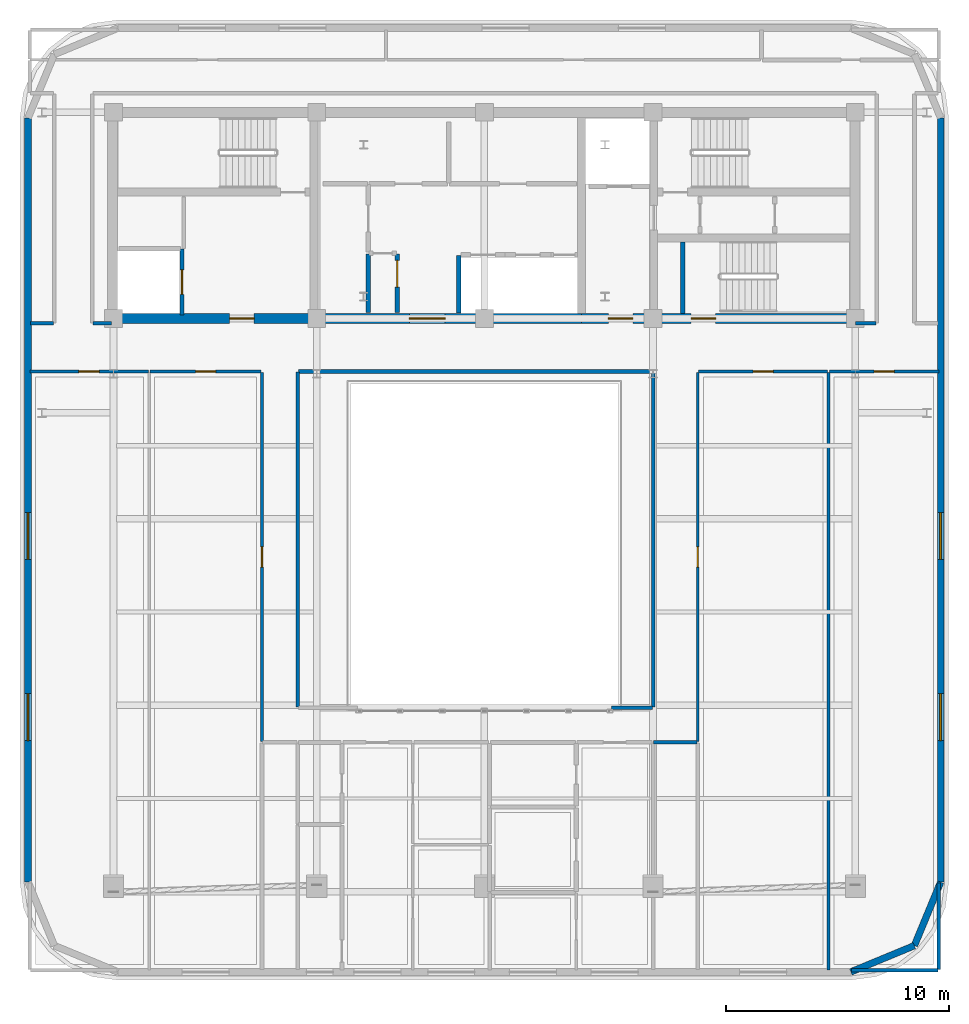
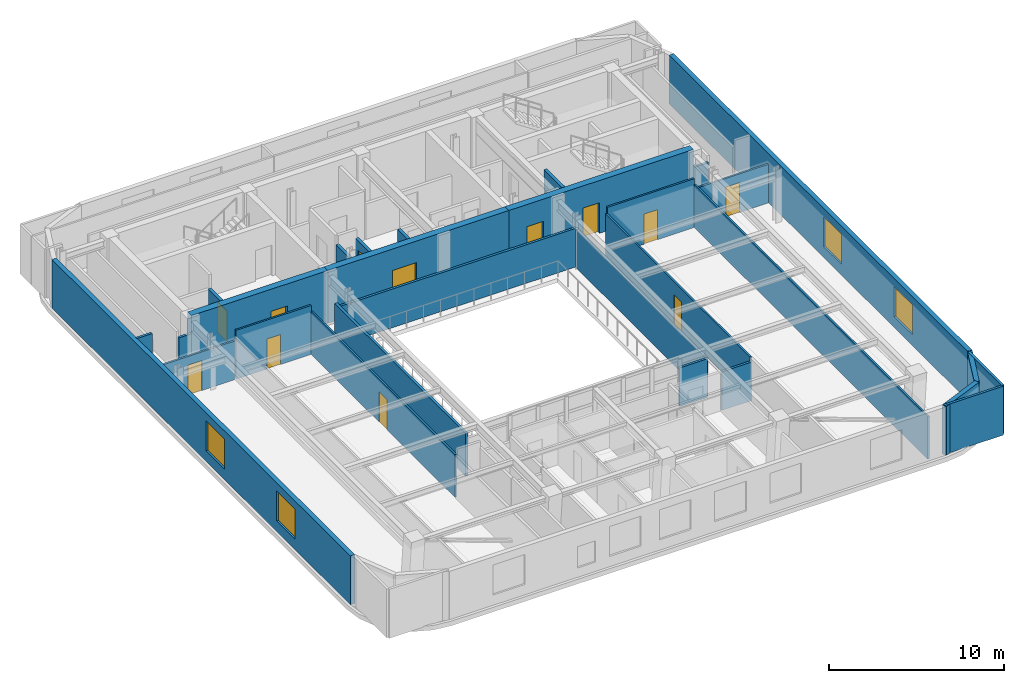
# One storey, part 6 of 11: 29 walls, 12 doors, 4 windows, 16 openings.
"""IFC4 building model written with IfcOpenShell, lengths in metres."""

from ifc_helpers import new_model, si_unit, direction, frame, frame_2d, origin, place, context, subcontext, project, spatial, rectangle, extrude, material, layer, layer_set, type_object, element, fill, save


model = new_model("IFC4")

# Units and contexts
model_context = context("Model", 3, precision=1e-05, world=origin(), true_north=direction((0.0, 1.0)))
body_context = subcontext(model_context, "Body", "Model", "MODEL_VIEW")
ifc_project = project(units=[si_unit("LENGTHUNIT", "METRE"), si_unit("AREAUNIT", "SQUARE_METRE"), si_unit("VOLUMEUNIT", "CUBIC_METRE"), si_unit("PLANEANGLEUNIT", "RADIAN"), si_unit("MASSUNIT", "GRAM", prefix="KILO")], contexts=[model_context])

# Site, building, storey
site_placement = place(None, origin())
site = spatial("IfcSite", under=ifc_project, at=site_placement, CompositionType="ELEMENT")
building_placement = place(site_placement, origin())
building = spatial("IfcBuilding", under=site, at=building_placement, Name="Zarnavel Station Tower", CompositionType="ELEMENT")
storey_placement = place(building_placement, frame((0.0, 0.0, 262.10009765625)))
storey = spatial("IfcBuildingStorey", under=building, at=storey_placement, Name="L71", CompositionType="ELEMENT", Elevation=262.10009765625)

# Wall, opening, door
ifc_material_1 = material(Name="Concrete C50/60", Category="concrete")
ifc_layer_1 = layer(ifc_material_1, 0.449951171875)
ifc_layer_set_1 = layer_set([ifc_layer_1], Name="CW_450")
wall_type_1 = type_object("IfcWallType", Name="CW_450", PredefinedType="SHEAR", material=ifc_layer_set_1)
wall_1_placement = place(storey_placement, frame((21.179931640625, 27.820068359375, 0.0), z_axis=(0.0, 0.0, 1.0), x_axis=(-1.0, 0.0, 0.0)))
wall_1 = element("IfcWall", 1, at=wall_1_placement, inside=storey, type_object=wall_type_1, Name="L71 Rear Core Shear Wall S-W", PredefinedType="SHEAR", context=body_context, shape_type="SweptSolid", body=[
    extrude(rectangle(XDim=9.030029296875, YDim=0.449951171875, at=frame_2d((4.51513671875, 0.0))), origin(), (0.0, 0.0, 1.0), 3.699951171875),
])
opening_1_placement = place(wall_1_placement, frame((2.679931640625, 0.0, 0.0)))
opening_1 = element("IfcOpeningElement", 2, at=opening_1_placement, cuts=wall_1, Name="Opening FD01", PredefinedType="OPENING", context=body_context, shape_type="SweptSolid", body=[
    extrude(rectangle(XDim=1.10009765625, YDim=2.14990234375, at=frame_2d((0.550048828125, 1.074951171875))), frame((0.0, 0.23486328125, 0.0), z_axis=(0.0, -1.0, 0.0), x_axis=(1.0, 0.0, 0.0)), (0.0, 0.0, 1.0), 0.469970703125),
])
ifc_material_2 = material(Name="Painted Galvanised Steel and Hardwood Leaf", Category="steel")
door_type_1 = type_object("IfcDoorType", Name="ID_STAIR_1100", OperationType="NOTDEFINED", PredefinedType="DOOR", material=ifc_material_2)
door_1_placement = place(opening_1_placement, origin())
door_1 = element("IfcDoor", 3, at=door_1_placement, inside=storey, type_object=door_type_1, Name="L71 West Firefighting Lobby Door", OperationType="SINGLE_SWING_RIGHT", OverallHeight=2.14990234375, OverallWidth=1.10009765625, PredefinedType="DOOR", context=body_context, shape_type="SweptSolid", body=[
    extrude(rectangle(XDim=1.10009765625, YDim=2.14990234375, at=frame_2d((0.550048828125, 1.074951171875))), frame((0.0, 0.02490234375, 0.0), z_axis=(0.0, -1.0, 0.0), x_axis=(1.0, 0.0, 0.0)), (0.0, 0.0, 1.0), 0.050048828125),
])
fill(opening_1, door_1)

wall_2_placement = place(storey_placement, frame((33.14990234375, 27.820068359375, 0.0), z_axis=(0.0, 0.0, 1.0), x_axis=(-1.0, 0.0, 0.0)))
wall_2 = element("IfcWall", 4, at=wall_2_placement, inside=storey, type_object=wall_type_1, Name="L71 Rear Core Shear Wall S-M", PredefinedType="SHEAR", context=body_context, shape_type="SweptSolid", body=[
    extrude(rectangle(XDim=11.969970703125, YDim=0.449951171875, at=frame_2d((5.98486328125, 0.0))), origin(), (0.0, 0.0, 1.0), 3.699951171875),
])
opening_2_placement = place(wall_2_placement, frame((6.10009765625, 0.0, 0.0)))
opening_2 = element("IfcOpeningElement", 5, at=opening_2_placement, cuts=wall_2, Name="Opening ID03", PredefinedType="OPENING", context=body_context, shape_type="SweptSolid", body=[
    extrude(rectangle(XDim=1.60009765625, YDim=2.199951171875, at=frame_2d((0.800048828125, 1.10009765625))), frame((0.0, 0.23486328125, 0.0), z_axis=(0.0, -1.0, 0.0), x_axis=(1.0, 0.0, 0.0)), (0.0, 0.0, 1.0), 0.469970703125),
])
ifc_material_3 = material(Name="Painted Galvanised Steel and Hardwood Leaf", Category="steel")
door_type_2 = type_object("IfcDoorType", Name="ID_PUBLIC_1600", OperationType="DOUBLE_DOOR_SINGLE_SWING", PredefinedType="DOOR", material=ifc_material_3)
door_2_placement = place(opening_2_placement, origin())
door_2 = element("IfcDoor", 6, at=door_2_placement, inside=storey, type_object=door_type_2, Name="L71 Passenger Lift Lobby Double Door", OperationType="SINGLE_SWING_LEFT", OverallHeight=2.199951171875, OverallWidth=1.60009765625, PredefinedType="DOOR", context=body_context, shape_type="SweptSolid", body=[
    extrude(rectangle(XDim=1.60009765625, YDim=2.199951171875, at=frame_2d((0.800048828125, 1.10009765625))), frame((0.0, 0.02490234375, 0.0), z_axis=(0.0, -1.0, 0.0), x_axis=(1.0, 0.0, 0.0)), (0.0, 0.0, 1.0), 0.050048828125),
])
fill(opening_2, door_2)

# Wall, openings, doors
wall_3_placement = place(storey_placement, frame((45.3798828125, 27.820068359375, 0.0), z_axis=(0.0, 0.0, 1.0), x_axis=(-1.0, 0.0, 0.0)))
wall_3 = element("IfcWall", 7, at=wall_3_placement, inside=storey, type_object=wall_type_1, Name="L71 Rear Core Shear Wall S-E", PredefinedType="SHEAR", context=body_context, shape_type="SweptSolid", body=[
    extrude(rectangle(XDim=12.22998046875, YDim=0.449951171875, at=frame_2d((6.114990234375, 0.0))), origin(), (0.0, 0.0, 1.0), 3.699951171875),
])
opening_3_placement = place(wall_3_placement, frame((9.929931640625, 0.0, 0.0)))
opening_3 = element("IfcOpeningElement", 8, at=opening_3_placement, cuts=wall_3, Name="Opening FD01", PredefinedType="OPENING", context=body_context, shape_type="SweptSolid", body=[
    extrude(rectangle(XDim=1.10009765625, YDim=2.14990234375, at=frame_2d((0.550048828125, 1.074951171875))), frame((0.0, 0.23486328125, 0.0), z_axis=(0.0, -1.0, 0.0), x_axis=(1.0, 0.0, 0.0)), (0.0, 0.0, 1.0), 0.469970703125),
])
opening_4_placement = place(wall_3_placement, frame((6.22998046875, 0.0, 0.0)))
opening_4 = element("IfcOpeningElement", 9, at=opening_4_placement, cuts=wall_3, Name="Opening FD01", PredefinedType="OPENING", context=body_context, shape_type="SweptSolid", body=[
    extrude(rectangle(XDim=1.10009765625, YDim=2.14990234375, at=frame_2d((0.550048828125, 1.074951171875))), frame((0.0, 0.23486328125, 0.0), z_axis=(0.0, -1.0, 0.0), x_axis=(1.0, 0.0, 0.0)), (0.0, 0.0, 1.0), 0.469970703125),
])
door_3_placement = place(opening_3_placement, origin())
door_3 = element("IfcDoor", 10, at=door_3_placement, inside=storey, type_object=door_type_1, Name="L71 East Firefighting Lobby Door", OperationType="SINGLE_SWING_LEFT", OverallHeight=2.14990234375, OverallWidth=1.10009765625, PredefinedType="DOOR", context=body_context, shape_type="SweptSolid", body=[
    extrude(rectangle(XDim=1.10009765625, YDim=2.14990234375, at=frame_2d((0.550048828125, 1.074951171875))), frame((0.0, 0.02490234375, 0.0), z_axis=(0.0, -1.0, 0.0), x_axis=(1.0, 0.0, 0.0)), (0.0, 0.0, 1.0), 0.050048828125),
])
fill(opening_3, door_3)
door_4_placement = place(opening_4_placement, origin())
door_4 = element("IfcDoor", 11, at=door_4_placement, inside=storey, type_object=door_type_1, Name="L71 Stair ST3 Corridor Fire Door", OperationType="SINGLE_SWING_RIGHT", OverallHeight=2.14990234375, OverallWidth=1.10009765625, PredefinedType="DOOR", context=body_context, shape_type="SweptSolid", body=[
    extrude(rectangle(XDim=1.10009765625, YDim=2.14990234375, at=frame_2d((0.550048828125, 1.074951171875))), frame((0.0, 0.02490234375, 0.0), z_axis=(0.0, -1.0, 0.0), x_axis=(1.0, 0.0, 0.0)), (0.0, 0.0, 1.0), 0.050048828125),
])
fill(opening_4, door_4)

# Walls
ifc_material_4 = material(Name="Precast concrete C45/55 (Dark Basalt Finish)", Category="masonry")
ifc_layer_2 = layer(ifc_material_4, 0.300048828125)
ifc_layer_set_2 = layer_set([ifc_layer_2], Name="EW_BASALT_300")
wall_type_2 = type_object("IfcWallType", Name="EW_BASALT_300", PredefinedType="SOLIDWALL", material=ifc_layer_set_2)
wall_4_placement = place(storey_placement, frame((48.04248046875, -0.24267578125, 0.0), z_axis=(0.0, 0.0, 1.0), x_axis=(-0.92389884758, -0.382636798336, 0.0)))
element("IfcWall", 12, at=wall_4_placement, inside=storey, type_object=wall_type_2, Name="L71 Exterior Basalt Masonry Frame Wall 01", PredefinedType="SOLIDWALL", context=body_context, shape_type="SweptSolid", body=[
    extrude(rectangle(XDim=3.07666015625, YDim=0.300048828125, at=frame_2d((1.538330078125, 0.0))), origin(), (0.0, 0.0, 1.0), 3.419921875),
])
wall_5_placement = place(storey_placement, frame((49.219970703125, 2.60009765625, 0.0), z_axis=(0.0, 0.0, 1.0), x_axis=(-0.382676475685, -0.923882414032, 0.0)))
element("IfcWall", 13, at=wall_5_placement, inside=storey, type_object=wall_type_2, Name="L71 Exterior Basalt Masonry Frame Wall 02", PredefinedType="SOLIDWALL", context=body_context, shape_type="SweptSolid", body=[
    extrude(rectangle(XDim=3.076904296875, YDim=0.300048828125, at=frame_2d((1.53857421875, 0.0))), origin(), (0.0, 0.0, 1.0), 3.419921875),
])

# Wall, openings, windows
wall_6_placement = place(storey_placement, frame((49.219970703125, 36.800048828125, 0.0), z_axis=(0.0, 0.0, 1.0), x_axis=(0.0, -1.0, 0.0)))
wall_6 = element("IfcWall", 14, at=wall_6_placement, inside=storey, type_object=wall_type_2, Name="L71 Exterior Basalt Masonry Frame Wall 03", PredefinedType="SOLIDWALL", context=body_context, shape_type="SweptSolid", body=[
    extrude(rectangle(XDim=34.199951171875, YDim=0.300048828125, at=frame_2d((17.10009765625, 0.0))), origin(), (0.0, 0.0, 1.0), 3.419921875),
])
opening_5_placement = place(wall_6_placement, frame((17.659912109375, 0.0, 0.75)))
opening_5 = element("IfcOpeningElement", 15, at=opening_5_placement, cuts=wall_6, Name="Opening WN05", PredefinedType="OPENING", context=body_context, shape_type="SweptSolid", body=[
    extrude(rectangle(XDim=2.10009765625, YDim=2.10009765625, at=frame_2d((1.050048828125, 1.050048828125))), frame((0.0, 0.159912109375, 0.0), z_axis=(0.0, -1.0, 0.0), x_axis=(1.0, 0.0, 0.0)), (0.0, 0.0, 1.0), 0.320068359375),
])
opening_6_placement = place(wall_6_placement, frame((25.77001953125, 0.0, 0.75)))
opening_6 = element("IfcOpeningElement", 16, at=opening_6_placement, cuts=wall_6, Name="Opening WN05", PredefinedType="OPENING", context=body_context, shape_type="SweptSolid", body=[
    extrude(rectangle(XDim=2.10009765625, YDim=2.10009765625, at=frame_2d((1.050048828125, 1.050048828125))), frame((0.0, 0.159912109375, 0.0), z_axis=(0.0, -1.0, 0.0), x_axis=(1.0, 0.0, 0.0)), (0.0, 0.0, 1.0), 0.320068359375),
])
ifc_material_5 = material(Name="Thermally Broken Black Aluminium and Low-E Dark Glass", Category="aluminium")
window_type = type_object("IfcWindowType", Name="WN_2100x2100", PartitioningType="TRIPLE_PANEL_VERTICAL", PredefinedType="WINDOW", material=ifc_material_5)
window_1_placement = place(opening_5_placement, origin())
window_1 = element("IfcWindow", 17, at=window_1_placement, inside=storey, type_object=window_type, Name="L71 Recessed Facade Window 01", OverallHeight=2.10009765625, OverallWidth=2.10009765625, PartitioningType="SINGLE_PANEL", PredefinedType="WINDOW", context=body_context, shape_type="SweptSolid", body=[
    extrude(rectangle(XDim=2.10009765625, YDim=2.10009765625, at=frame_2d((1.050048828125, 1.050048828125))), frame((0.0, 0.030029296875, 0.0), z_axis=(0.0, -1.0, 0.0), x_axis=(1.0, 0.0, 0.0)), (0.0, 0.0, 1.0), 0.06005859375),
])
fill(opening_5, window_1)
window_2_placement = place(opening_6_placement, origin())
window_2 = element("IfcWindow", 18, at=window_2_placement, inside=storey, type_object=window_type, Name="L71 Recessed Facade Window 02", OverallHeight=2.10009765625, OverallWidth=2.10009765625, PartitioningType="SINGLE_PANEL", PredefinedType="WINDOW", context=body_context, shape_type="SweptSolid", body=[
    extrude(rectangle(XDim=2.10009765625, YDim=2.10009765625, at=frame_2d((1.050048828125, 1.050048828125))), frame((0.0, 0.030029296875, 0.0), z_axis=(0.0, -1.0, 0.0), x_axis=(1.0, 0.0, 0.0)), (0.0, 0.0, 1.0), 0.06005859375),
])
fill(opening_6, window_2)

wall_7_placement = place(storey_placement, frame((8.3798828125, 2.60009765625, 0.0), z_axis=(0.0, 0.0, 1.0), x_axis=(0.0, 1.0, 0.0)))
wall_7 = element("IfcWall", 19, at=wall_7_placement, inside=storey, type_object=wall_type_2, Name="L71 Exterior Basalt Masonry Frame Wall 09", PredefinedType="SOLIDWALL", context=body_context, shape_type="SweptSolid", body=[
    extrude(rectangle(XDim=34.199951171875, YDim=0.300048828125, at=frame_2d((17.10009765625, 0.0))), origin(), (0.0, 0.0, 1.0), 3.419921875),
])
opening_7_placement = place(wall_7_placement, frame((6.330078125, 0.0, 0.75)))
opening_7 = element("IfcOpeningElement", 20, at=opening_7_placement, cuts=wall_7, Name="Opening WN05", PredefinedType="OPENING", context=body_context, shape_type="SweptSolid", body=[
    extrude(rectangle(XDim=2.10009765625, YDim=2.10009765625, at=frame_2d((1.050048828125, 1.050048828125))), frame((0.0, 0.159912109375, 0.0), z_axis=(0.0, -1.0, 0.0), x_axis=(1.0, 0.0, 0.0)), (0.0, 0.0, 1.0), 0.320068359375),
])
opening_8_placement = place(wall_7_placement, frame((14.43994140625, 0.0, 0.75)))
opening_8 = element("IfcOpeningElement", 21, at=opening_8_placement, cuts=wall_7, Name="Opening WN05", PredefinedType="OPENING", context=body_context, shape_type="SweptSolid", body=[
    extrude(rectangle(XDim=2.10009765625, YDim=2.10009765625, at=frame_2d((1.050048828125, 1.050048828125))), frame((0.0, 0.159912109375, 0.0), z_axis=(0.0, -1.0, 0.0), x_axis=(1.0, 0.0, 0.0)), (0.0, 0.0, 1.0), 0.320068359375),
])
window_3_placement = place(opening_7_placement, origin())
window_3 = element("IfcWindow", 22, at=window_3_placement, inside=storey, type_object=window_type, Name="L71 Recessed Facade Window 01", OverallHeight=2.10009765625, OverallWidth=2.10009765625, PartitioningType="SINGLE_PANEL", PredefinedType="WINDOW", context=body_context, shape_type="SweptSolid", body=[
    extrude(rectangle(XDim=2.10009765625, YDim=2.10009765625, at=frame_2d((1.050048828125, 1.050048828125))), frame((0.0, 0.030029296875, 0.0), z_axis=(0.0, -1.0, 0.0), x_axis=(1.0, 0.0, 0.0)), (0.0, 0.0, 1.0), 0.06005859375),
])
fill(opening_7, window_3)
window_4_placement = place(opening_8_placement, origin())
window_4 = element("IfcWindow", 23, at=window_4_placement, inside=storey, type_object=window_type, Name="L71 Recessed Facade Window 02", OverallHeight=2.10009765625, OverallWidth=2.10009765625, PartitioningType="SINGLE_PANEL", PredefinedType="WINDOW", context=body_context, shape_type="SweptSolid", body=[
    extrude(rectangle(XDim=2.10009765625, YDim=2.10009765625, at=frame_2d((1.050048828125, 1.050048828125))), frame((0.0, 0.030029296875, 0.0), z_axis=(0.0, -1.0, 0.0), x_axis=(1.0, 0.0, 0.0)), (0.0, 0.0, 1.0), 0.06005859375),
])
fill(opening_8, window_4)

# Walls
ifc_material_6 = material(Name="Gypsum Twin-Stud Acoustic Fire Partition", Category="concrete")
ifc_layer_3 = layer(ifc_material_6, 0.159912109375)
ifc_layer_set_3 = layer_set([ifc_layer_3], Name="PT_DEMISE_160")
wall_type_3 = type_object("IfcWallType", Name="PT_DEMISE_160", PredefinedType="PARTITIONING", material=ifc_layer_set_3)
wall_8_placement = place(storey_placement, frame((20.47998046875, 25.449951171875, 0.0), z_axis=(0.0, 0.0, 1.0), x_axis=(1.0, 0.0, 0.0)))
element("IfcWall", 24, at=wall_8_placement, inside=storey, type_object=wall_type_3, Name="L71 Enclosure Wall COR-S", PredefinedType="PARTITIONING", context=body_context, shape_type="SweptSolid", body=[
    extrude(rectangle(XDim=15.840087890625, YDim=0.159912109375, at=frame_2d((7.919921875, 0.0))), origin(), (0.0, 0.0, 1.0), 2.699951171875),
])
wall_9_placement = place(storey_placement, frame((8.489990234375, 27.60009765625, 0.0), z_axis=(0.0, 0.0, 1.0), x_axis=(1.0, 0.0, 0.0)))
element("IfcWall", 25, at=wall_9_placement, inside=storey, type_object=wall_type_3, Name="L71 Enclosure Wall COR-S", PredefinedType="PARTITIONING", context=body_context, shape_type="SweptSolid", body=[
    extrude(rectangle(XDim=1.030029296875, YDim=0.159912109375, at=frame_2d((0.51513671875, 0.0))), origin(), (0.0, 0.0, 1.0), 3.419921875),
])
wall_10_placement = place(storey_placement, frame((11.280029296875, 27.60009765625, 0.0), z_axis=(0.0, 0.0, 1.0), x_axis=(1.0, 0.0, 0.0)))
element("IfcWall", 26, at=wall_10_placement, inside=storey, type_object=wall_type_3, Name="L71 Enclosure Wall COR-S", PredefinedType="PARTITIONING", context=body_context, shape_type="SweptSolid", body=[
    extrude(rectangle(XDim=0.840087890625, YDim=0.159912109375, at=frame_2d((0.419921875, 0.0))), origin(), (0.0, 0.0, 1.0), 2.489990234375),
])
wall_11_placement = place(storey_placement, frame((45.409912109375, 27.60009765625, 0.0), z_axis=(0.0, 0.0, 1.0), x_axis=(1.0, 0.0, 0.0)))
element("IfcWall", 27, at=wall_11_placement, inside=storey, type_object=wall_type_3, Name="L71 Enclosure Wall COR-S", PredefinedType="PARTITIONING", context=body_context, shape_type="SweptSolid", body=[
    extrude(rectangle(XDim=0.91015625, YDim=0.159912109375, at=frame_2d((0.455078125, 0.0))), origin(), (0.0, 0.0, 1.0), 2.489990234375),
])
wall_12_placement = place(storey_placement, frame((20.449951171875, 10.429931640625, 0.0), z_axis=(0.0, 0.0, 1.0), x_axis=(0.0, 1.0, 0.0)))
element("IfcWall", 28, at=wall_12_placement, inside=storey, type_object=wall_type_3, Name="L71 Enclosure Wall COR-AW", PredefinedType="PARTITIONING", context=body_context, shape_type="SweptSolid", body=[
    extrude(rectangle(XDim=14.989990234375, YDim=0.159912109375, at=frame_2d((7.4951171875, 0.0))), origin(), (0.0, 0.0, 1.0), 3.0),
])
wall_13_placement = place(storey_placement, frame((36.3798828125, 8.85009765625, 0.0), z_axis=(0.0, 0.0, 1.0), x_axis=(1.0, 0.0, 0.0)))
element("IfcWall", 29, at=wall_13_placement, inside=storey, type_object=wall_type_3, Name="L71 Enclosure Wall COR-AE", PredefinedType="PARTITIONING", context=body_context, shape_type="SweptSolid", body=[
    extrude(rectangle(XDim=1.940185546875, YDim=0.159912109375, at=frame_2d((0.97021484375, 0.0))), origin(), (0.0, 0.0, 1.0), 2.699951171875),
])
wall_14_placement = place(storey_placement, frame((36.35009765625, 10.429931640625, 0.0), z_axis=(0.0, 0.0, 1.0), x_axis=(0.0, 1.0, 0.0)))
element("IfcWall", 30, at=wall_14_placement, inside=storey, type_object=wall_type_3, Name="L71 Enclosure Wall COR-AE", PredefinedType="PARTITIONING", context=body_context, shape_type="SweptSolid", body=[
    extrude(rectangle(XDim=14.989990234375, YDim=0.159912109375, at=frame_2d((7.4951171875, 0.0))), origin(), (0.0, 0.0, 1.0), 2.699951171875),
])
wall_15_placement = place(storey_placement, frame((34.47998046875, 10.39990234375, 0.0), z_axis=(0.0, 0.0, 1.0), x_axis=(1.0, 0.0, 0.0)))
element("IfcWall", 31, at=wall_15_placement, inside=storey, type_object=wall_type_3, Name="L71 Enclosure Wall COR-AS", PredefinedType="PARTITIONING", context=body_context, shape_type="SweptSolid", body=[
    extrude(rectangle(XDim=1.840087890625, YDim=0.159912109375, at=frame_2d((0.919921875, 0.0))), origin(), (0.0, 0.0, 1.0), 2.699951171875),
])
for number, where, z_axis, x_axis, name in (
    (32, (45.22998046875, -1.340087890625, 0.0), (0.0, 0.0, 1.0), (1.0, 0.0, 0.0), "L71 Enclosure Wall L71BAR"),
    (33, (49.139892578125, -1.31005859375, 0.0), (0.0, 0.0, 1.0), (0.0, 1.0, 0.0), "L71 Enclosure Wall L71BAR"),
):
    element("IfcWall", number, at=place(storey_placement, frame(where, z_axis=z_axis, x_axis=x_axis)), inside=storey, type_object=wall_type_3, Name=name, PredefinedType="PARTITIONING", context=body_context, shape_type="SweptSolid", body=[
        extrude(rectangle(XDim=3.880126953125, YDim=0.159912109375, at=frame_2d((1.93994140625, 0.0))), origin(), (0.0, 0.0, 1.0), 3.419921875),
    ])

# Wall, opening, door
ifc_material_7 = material(Name="Gypsum Metal-Stud Interior Partition", Category="concrete")
ifc_layer_4 = layer(ifc_material_7, 0.1201171875)
ifc_layer_set_4 = layer_set([ifc_layer_4], Name="PT_ROOM_120")
wall_type_4 = type_object("IfcWallType", Name="PT_ROOM_120", PredefinedType="PARTITIONING", material=ifc_layer_set_4)
wall_16_placement = place(storey_placement, frame((8.4599609375, 25.449951171875, 0.0), z_axis=(0.0, 0.0, 1.0), x_axis=(1.0, 0.0, 0.0)))
wall_16 = element("IfcWall", 34, at=wall_16_placement, inside=storey, type_object=wall_type_4, Name="L71 Partition COR-S-L71GAL", PredefinedType="PARTITIONING", context=body_context, shape_type="SweptSolid", body=[
    extrude(rectangle(XDim=5.300048828125, YDim=0.1201171875, at=frame_2d((2.64990234375, 0.0))), origin(), (0.0, 0.0, 1.0), 2.699951171875),
])
opening_9_placement = place(wall_16_placement, frame((2.199951171875, 0.0, 0.0)))
opening_9 = element("IfcOpeningElement", 35, at=opening_9_placement, cuts=wall_16, Name="Opening ID01", PredefinedType="OPENING", context=body_context, shape_type="SweptSolid", body=[
    extrude(rectangle(XDim=0.89990234375, YDim=2.10009765625, at=frame_2d((0.449951171875, 1.050048828125))), frame((0.0, 0.070068359375, 0.0), z_axis=(0.0, -1.0, 0.0), x_axis=(1.0, 0.0, 0.0)), (0.0, 0.0, 1.0), 0.14013671875),
])
ifc_material_8 = material(Name="Painted Galvanised Steel and Hardwood Leaf", Category="steel")
door_type_3 = type_object("IfcDoorType", Name="ID_ROOM_900", OperationType="NOTDEFINED", PredefinedType="DOOR", material=ifc_material_8)
door_5_placement = place(opening_9_placement, origin())
door_5 = element("IfcDoor", 36, at=door_5_placement, inside=storey, type_object=door_type_3, Name="L71 Door COR-S-L71GAL", OperationType="SINGLE_SWING_LEFT", OverallHeight=2.10009765625, OverallWidth=0.89990234375, PredefinedType="DOOR", context=body_context, shape_type="SweptSolid", body=[
    extrude(rectangle(XDim=0.89990234375, YDim=2.10009765625, at=frame_2d((0.449951171875, 1.050048828125))), frame((0.0, 0.02490234375, 0.0), z_axis=(0.0, -1.0, 0.0), x_axis=(1.0, 0.0, 0.0)), (0.0, 0.0, 1.0), 0.050048828125),
])
fill(opening_9, door_5)

wall_17_placement = place(storey_placement, frame((13.840087890625, 25.449951171875, 0.0), z_axis=(0.0, 0.0, 1.0), x_axis=(1.0, 0.0, 0.0)))
wall_17 = element("IfcWall", 37, at=wall_17_placement, inside=storey, type_object=wall_type_4, Name="L71 Partition COR-S-L71GYM", PredefinedType="PARTITIONING", context=body_context, shape_type="SweptSolid", body=[
    extrude(rectangle(XDim=4.969970703125, YDim=0.1201171875, at=frame_2d((2.48486328125, 0.0))), origin(), (0.0, 0.0, 1.0), 3.419921875),
])
opening_10_placement = place(wall_17_placement, frame((2.034912109375, 0.0, 0.0)))
opening_10 = element("IfcOpeningElement", 38, at=opening_10_placement, cuts=wall_17, Name="Opening ID01", PredefinedType="OPENING", context=body_context, shape_type="SweptSolid", body=[
    extrude(rectangle(XDim=0.89990234375, YDim=2.10009765625, at=frame_2d((0.449951171875, 1.050048828125))), frame((0.0, 0.070068359375, 0.0), z_axis=(0.0, -1.0, 0.0), x_axis=(1.0, 0.0, 0.0)), (0.0, 0.0, 1.0), 0.14013671875),
])
door_6_placement = place(opening_10_placement, origin())
door_6 = element("IfcDoor", 39, at=door_6_placement, inside=storey, type_object=door_type_3, Name="L71 Door COR-S-L71GYM", OperationType="SINGLE_SWING_RIGHT", OverallHeight=2.10009765625, OverallWidth=0.89990234375, PredefinedType="DOOR", context=body_context, shape_type="SweptSolid", body=[
    extrude(rectangle(XDim=0.89990234375, YDim=2.10009765625, at=frame_2d((0.449951171875, 1.050048828125))), frame((0.0, 0.02490234375, 0.0), z_axis=(0.0, -1.0, 0.0), x_axis=(1.0, 0.0, 0.0)), (0.0, 0.0, 1.0), 0.050048828125),
])
fill(opening_10, door_6)

wall_18_placement = place(storey_placement, frame((38.389892578125, 25.449951171875, 0.0), z_axis=(0.0, 0.0, 1.0), x_axis=(1.0, 0.0, 0.0)))
wall_18 = element("IfcWall", 40, at=wall_18_placement, inside=storey, type_object=wall_type_4, Name="L71 Partition COR-S-L71SPA", PredefinedType="PARTITIONING", context=body_context, shape_type="SweptSolid", body=[
    extrude(rectangle(XDim=5.77001953125, YDim=0.1201171875, at=frame_2d((2.885009765625, 0.0))), origin(), (0.0, 0.0, 1.0), 3.419921875),
])
opening_11_placement = place(wall_18_placement, frame((2.43505859375, 0.0, 0.0)))
opening_11 = element("IfcOpeningElement", 41, at=opening_11_placement, cuts=wall_18, Name="Opening ID01", PredefinedType="OPENING", context=body_context, shape_type="SweptSolid", body=[
    extrude(rectangle(XDim=0.89990234375, YDim=2.10009765625, at=frame_2d((0.449951171875, 1.050048828125))), frame((0.0, 0.070068359375, 0.0), z_axis=(0.0, -1.0, 0.0), x_axis=(1.0, 0.0, 0.0)), (0.0, 0.0, 1.0), 0.14013671875),
])
door_7_placement = place(opening_11_placement, origin())
door_7 = element("IfcDoor", 42, at=door_7_placement, inside=storey, type_object=door_type_3, Name="L71 Door COR-S-L71SPA", OperationType="SINGLE_SWING_LEFT", OverallHeight=2.10009765625, OverallWidth=0.89990234375, PredefinedType="DOOR", context=body_context, shape_type="SweptSolid", body=[
    extrude(rectangle(XDim=0.89990234375, YDim=2.10009765625, at=frame_2d((0.449951171875, 1.050048828125))), frame((0.0, 0.02490234375, 0.0), z_axis=(0.0, -1.0, 0.0), x_axis=(1.0, 0.0, 0.0)), (0.0, 0.0, 1.0), 0.050048828125),
])
fill(opening_11, door_7)

wall_19_placement = place(storey_placement, frame((44.239990234375, 25.449951171875, 0.0), z_axis=(0.0, 0.0, 1.0), x_axis=(1.0, 0.0, 0.0)))
wall_19 = element("IfcWall", 43, at=wall_19_placement, inside=storey, type_object=wall_type_4, Name="L71 Partition COR-S-L71BAR", PredefinedType="PARTITIONING", context=body_context, shape_type="SweptSolid", body=[
    extrude(rectangle(XDim=4.89990234375, YDim=0.1201171875, at=frame_2d((2.449951171875, 0.0))), origin(), (0.0, 0.0, 1.0), 2.699951171875),
])
opening_12_placement = place(wall_19_placement, frame((2.0, 0.0, 0.0)))
opening_12 = element("IfcOpeningElement", 44, at=opening_12_placement, cuts=wall_19, Name="Opening ID01", PredefinedType="OPENING", context=body_context, shape_type="SweptSolid", body=[
    extrude(rectangle(XDim=0.89990234375, YDim=2.10009765625, at=frame_2d((0.449951171875, 1.050048828125))), frame((0.0, 0.070068359375, 0.0), z_axis=(0.0, -1.0, 0.0), x_axis=(1.0, 0.0, 0.0)), (0.0, 0.0, 1.0), 0.14013671875),
])
door_8_placement = place(opening_12_placement, origin())
door_8 = element("IfcDoor", 45, at=door_8_placement, inside=storey, type_object=door_type_3, Name="L71 Door COR-S-L71BAR", OperationType="SINGLE_SWING_RIGHT", OverallHeight=2.10009765625, OverallWidth=0.89990234375, PredefinedType="DOOR", context=body_context, shape_type="SweptSolid", body=[
    extrude(rectangle(XDim=0.89990234375, YDim=2.10009765625, at=frame_2d((0.449951171875, 1.050048828125))), frame((0.0, 0.02490234375, 0.0), z_axis=(0.0, -1.0, 0.0), x_axis=(1.0, 0.0, 0.0)), (0.0, 0.0, 1.0), 0.050048828125),
])
fill(opening_12, door_8)

wall_20_placement = place(storey_placement, frame((18.85009765625, 8.889892578125, 0.0), z_axis=(0.0, 0.0, 1.0), x_axis=(0.0, 1.0, 0.0)))
wall_20 = element("IfcWall", 46, at=wall_20_placement, inside=storey, type_object=wall_type_4, Name="L71 Partition COR-AW-L71GYM", PredefinedType="PARTITIONING", context=body_context, shape_type="SweptSolid", body=[
    extrude(rectangle(XDim=16.52001953125, YDim=0.1201171875, at=frame_2d((8.260009765625, 0.0))), origin(), (0.0, 0.0, 1.0), 3.0),
])
opening_13_placement = place(wall_20_placement, frame((7.81005859375, 0.0, 0.0)))
opening_13 = element("IfcOpeningElement", 47, at=opening_13_placement, cuts=wall_20, Name="Opening ID01", PredefinedType="OPENING", context=body_context, shape_type="SweptSolid", body=[
    extrude(rectangle(XDim=0.89990234375, YDim=2.10009765625, at=frame_2d((0.449951171875, 1.050048828125))), frame((0.0, 0.070068359375, 0.0), z_axis=(0.0, -1.0, 0.0), x_axis=(1.0, 0.0, 0.0)), (0.0, 0.0, 1.0), 0.14013671875),
])
door_9_placement = place(opening_13_placement, origin())
door_9 = element("IfcDoor", 48, at=door_9_placement, inside=storey, type_object=door_type_3, Name="L71 Door COR-AW-L71GYM", OperationType="SINGLE_SWING_LEFT", OverallHeight=2.10009765625, OverallWidth=0.89990234375, PredefinedType="DOOR", context=body_context, shape_type="SweptSolid", body=[
    extrude(rectangle(XDim=0.89990234375, YDim=2.10009765625, at=frame_2d((0.449951171875, 1.050048828125))), frame((0.0, 0.02490234375, 0.0), z_axis=(0.0, -1.0, 0.0), x_axis=(1.0, 0.0, 0.0)), (0.0, 0.0, 1.0), 0.050048828125),
])
fill(opening_13, door_9)

wall_21_placement = place(storey_placement, frame((38.35009765625, 8.889892578125, 0.0), z_axis=(0.0, 0.0, 1.0), x_axis=(0.0, 1.0, 0.0)))
wall_21 = element("IfcWall", 49, at=wall_21_placement, inside=storey, type_object=wall_type_4, Name="L71 Partition COR-AE-L71SPA", PredefinedType="PARTITIONING", context=body_context, shape_type="SweptSolid", body=[
    extrude(rectangle(XDim=16.52001953125, YDim=0.1201171875, at=frame_2d((8.260009765625, 0.0))), origin(), (0.0, 0.0, 1.0), 3.0),
])
opening_14_placement = place(wall_21_placement, frame((7.81005859375, 0.0, 0.0)))
opening_14 = element("IfcOpeningElement", 50, at=opening_14_placement, cuts=wall_21, Name="Opening ID01", PredefinedType="OPENING", context=body_context, shape_type="SweptSolid", body=[
    extrude(rectangle(XDim=0.89990234375, YDim=2.10009765625, at=frame_2d((0.449951171875, 1.050048828125))), frame((0.0, 0.070068359375, 0.0), z_axis=(0.0, -1.0, 0.0), x_axis=(1.0, 0.0, 0.0)), (0.0, 0.0, 1.0), 0.14013671875),
])
door_10_placement = place(opening_14_placement, origin())
door_10 = element("IfcDoor", 51, at=door_10_placement, inside=storey, type_object=door_type_3, Name="L71 Door COR-AE-L71SPA", OperationType="SINGLE_SWING_RIGHT", OverallHeight=2.10009765625, OverallWidth=0.89990234375, PredefinedType="DOOR", context=body_context, shape_type="SweptSolid", body=[
    extrude(rectangle(XDim=0.89990234375, YDim=2.10009765625, at=frame_2d((0.449951171875, 1.050048828125))), frame((0.0, 0.02490234375, 0.0), z_axis=(0.0, -1.0, 0.0), x_axis=(1.0, 0.0, 0.0)), (0.0, 0.0, 1.0), 0.050048828125),
])
fill(opening_14, door_10)

# Wall
wall_22_placement = place(storey_placement, frame((44.199951171875, -1.340087890625, 0.0), z_axis=(0.0, 0.0, 1.0), x_axis=(0.0, 1.0, 0.0)))
element("IfcWall", 52, at=wall_22_placement, inside=storey, type_object=wall_type_4, Name="L71 Partition L71SPA-L71BAR", PredefinedType="PARTITIONING", context=body_context, shape_type="SweptSolid", body=[
    extrude(rectangle(XDim=26.75, YDim=0.1201171875, at=frame_2d((13.375, 0.0))), origin(), (0.0, 0.0, 1.0), 3.0),
])

# Wall, opening, door
ifc_material_9 = material(Name="Precast concrete C45/55 (Fire Shaft Blockwork)", Category="masonry")
ifc_layer_5 = layer(ifc_material_9, 0.199951171875)
ifc_layer_set_5 = layer_set([ifc_layer_5], Name="PT_SHAFT_200")
wall_type_5 = type_object("IfcWallType", Name="PT_SHAFT_200", PredefinedType="PARTITIONING", material=ifc_layer_set_5)
wall_23_placement = place(storey_placement, frame((15.27001953125, 27.969970703125, 0.0), z_axis=(0.0, 0.0, 1.0), x_axis=(0.0, 1.0, 0.0)))
wall_23 = element("IfcWall", 53, at=wall_23_placement, inside=storey, type_object=wall_type_5, Name="L71 Lift FFL-01 Shaft Front Wall", PredefinedType="PARTITIONING", context=body_context, shape_type="SweptSolid", body=[
    extrude(rectangle(XDim=2.9599609375, YDim=0.199951171875, at=frame_2d((1.47998046875, 0.0))), origin(), (0.0, 0.0, 1.0), 2.489990234375),
])
opening_15_placement = place(wall_23_placement, frame((0.929931640625, 0.0, 0.0)))
opening_15 = element("IfcOpeningElement", 54, at=opening_15_placement, cuts=wall_23, Name="Opening LD01", PredefinedType="OPENING", context=body_context, shape_type="SweptSolid", body=[
    extrude(rectangle(XDim=1.10009765625, YDim=2.14990234375, at=frame_2d((0.550048828125, 1.074951171875))), frame((0.0, 0.10986328125, 0.0), z_axis=(0.0, -1.0, 0.0), x_axis=(1.0, 0.0, 0.0)), (0.0, 0.0, 1.0), 0.219970703125),
])
ifc_material_10 = material(Name="Painted Galvanised Steel and Hardwood Leaf", Category="steel")
door_type_4 = type_object("IfcDoorType", Name="LD_FF_1100", OperationType="DOUBLE_DOOR_SLIDING", PredefinedType="DOOR", material=ifc_material_10)
door_11_placement = place(opening_15_placement, origin())
door_11 = element("IfcDoor", 55, at=door_11_placement, inside=storey, type_object=door_type_4, Name="L71 Lift FFL-01 Sliding Landing Door", OperationType="DOUBLE_DOOR_SLIDING", OverallHeight=2.14990234375, OverallWidth=1.10009765625, PredefinedType="DOOR", context=body_context, shape_type="SweptSolid", body=[
    extrude(rectangle(XDim=1.10009765625, YDim=2.14990234375, at=frame_2d((0.550048828125, 1.074951171875))), frame((0.0, 0.02490234375, 0.0), z_axis=(0.0, -1.0, 0.0), x_axis=(1.0, 0.0, 0.0)), (0.0, 0.0, 1.0), 0.050048828125),
])
fill(opening_15, door_11)

# Walls
wall_24_placement = place(storey_placement, frame((27.64990234375, 28.070068359375, 0.0), z_axis=(0.0, 0.0, 1.0), x_axis=(0.0, 1.0, 0.0)))
element("IfcWall", 56, at=wall_24_placement, inside=storey, type_object=wall_type_5, Name="L71 High-Rise Lift Bank West Shaft Wall", PredefinedType="PARTITIONING", context=body_context, shape_type="SweptSolid", body=[
    extrude(rectangle(XDim=2.579833984375, YDim=0.199951171875, at=frame_2d((1.2900390625, 0.0))), origin(), (0.0, 0.0, 1.0), 2.489990234375),
])
wall_25_placement = place(storey_placement, frame((37.679931640625, 28.044921875, 0.0), z_axis=(0.0, 0.0, 1.0), x_axis=(0.0, 1.0, 0.0)))
element("IfcWall", 57, at=wall_25_placement, inside=storey, type_object=wall_type_5, Name="L71 Stair ST3 West Shaft Wall", PredefinedType="PARTITIONING", context=body_context, shape_type="SweptSolid", body=[
    extrude(rectangle(XDim=3.205078125, YDim=0.199951171875, at=frame_2d((1.6025390625, 0.0))), origin(), (0.0, 0.0, 1.0), 2.7998046875),
])

# Wall, opening, door
wall_26_placement = place(storey_placement, frame((24.89990234375, 28.090087890625, 0.0), z_axis=(0.0, 0.0, 1.0), x_axis=(0.0, 1.0, 0.0)))
wall_26 = element("IfcWall", 58, at=wall_26_placement, inside=storey, type_object=wall_type_5, Name="L71 Partition LLOBS-CS2", PredefinedType="PARTITIONING", context=body_context, shape_type="SweptSolid", body=[
    extrude(rectangle(XDim=2.619873046875, YDim=0.199951171875, at=frame_2d((1.31005859375, 0.0))), origin(), (0.0, 0.0, 1.0), 2.7998046875),
])
opening_16_placement = place(wall_26_placement, frame((1.137451171875, 0.0, 0.0)))
opening_16 = element("IfcOpeningElement", 59, at=opening_16_placement, cuts=wall_26, Name="Opening FD03", PredefinedType="OPENING", context=body_context, shape_type="SweptSolid", body=[
    extrude(rectangle(XDim=1.199951171875, YDim=2.14990234375, at=frame_2d((0.60009765625, 1.074951171875))), frame((0.0, 0.10986328125, 0.0), z_axis=(0.0, -1.0, 0.0), x_axis=(1.0, 0.0, 0.0)), (0.0, 0.0, 1.0), 0.219970703125),
])
ifc_material_11 = material(Name="Painted Galvanised Steel and Hardwood Leaf", Category="steel")
door_type_5 = type_object("IfcDoorType", Name="ID_PLANT_1200", OperationType="NOTDEFINED", PredefinedType="DOOR", material=ifc_material_11)
door_12_placement = place(opening_16_placement, origin())
door_12 = element("IfcDoor", 60, at=door_12_placement, inside=storey, type_object=door_type_5, Name="L71 Door LLOBS-CS2", OperationType="SINGLE_SWING_RIGHT", OverallHeight=2.14990234375, OverallWidth=1.199951171875, PredefinedType="DOOR", context=body_context, shape_type="SweptSolid", body=[
    extrude(rectangle(XDim=1.199951171875, YDim=2.14990234375, at=frame_2d((0.60009765625, 1.074951171875))), frame((0.0, 0.02490234375, 0.0), z_axis=(0.0, -1.0, 0.0), x_axis=(1.0, 0.0, 0.0)), (0.0, 0.0, 1.0), 0.050048828125),
])
fill(opening_16, door_12)

# Wall
wall_27_placement = place(storey_placement, frame((23.60009765625, 28.090087890625, 0.0), z_axis=(0.0, 0.0, 1.0), x_axis=(0.0, 1.0, 0.0)))
element("IfcWall", 61, at=wall_27_placement, inside=storey, type_object=wall_type_5, Name="L71 Partition CS1-CS2", PredefinedType="PARTITIONING", context=body_context, shape_type="SweptSolid", body=[
    extrude(rectangle(XDim=2.619873046875, YDim=0.199951171875, at=frame_2d((1.31005859375, 0.0))), origin(), (0.0, 0.0, 1.0), 2.7998046875),
])

save(model, "model.ifc")
